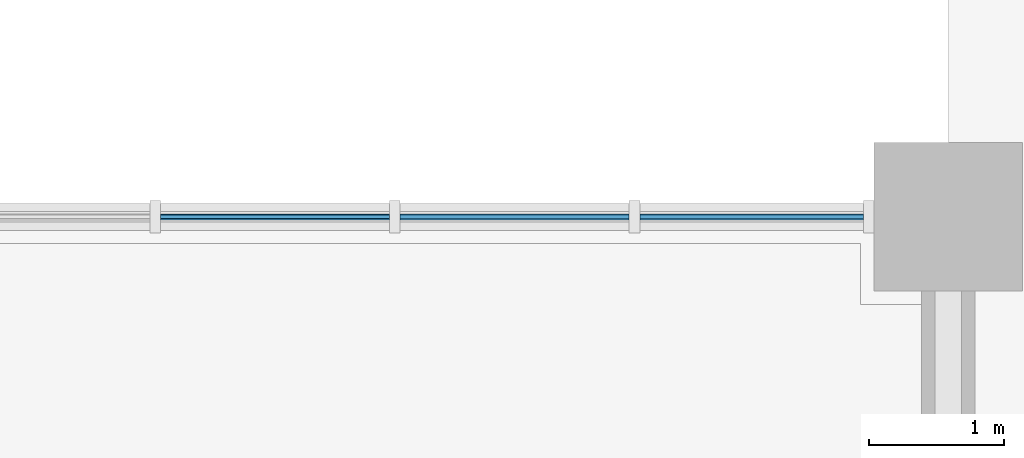
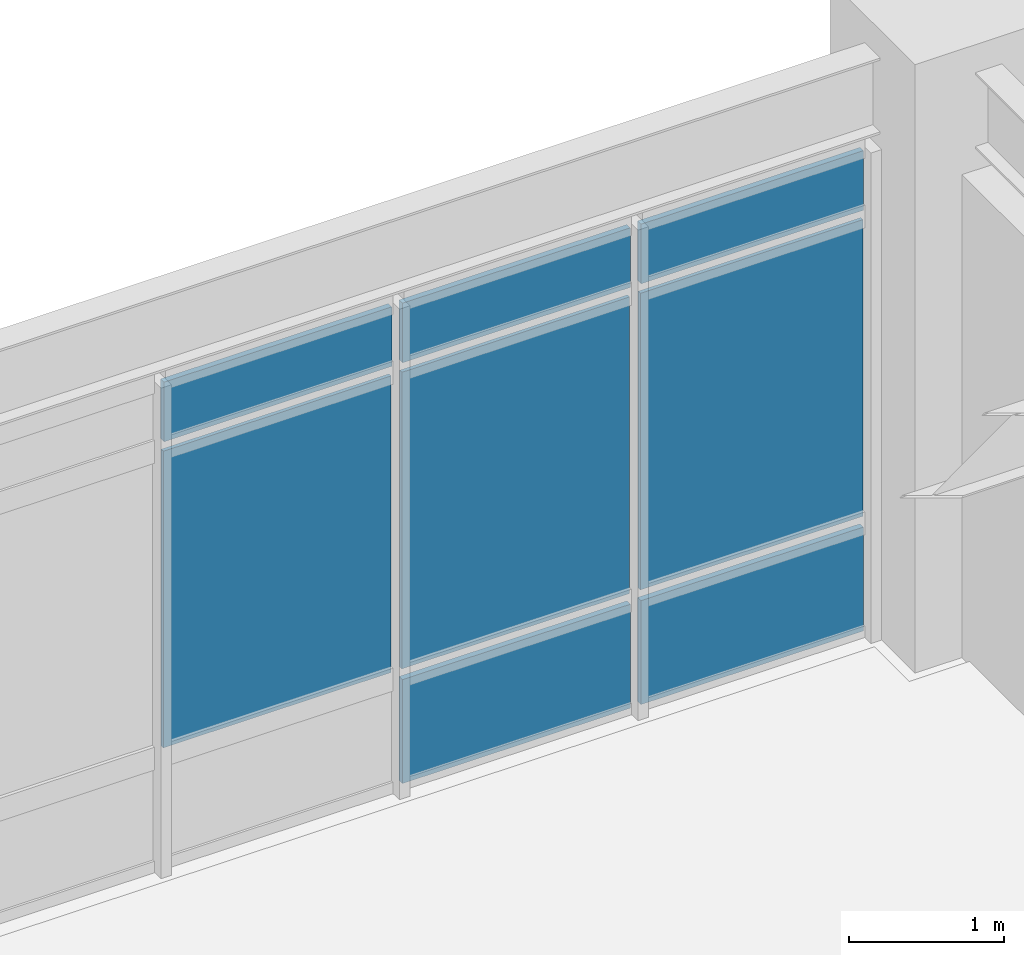
# One storey, part 72 of 125: 8 plates, 1 element without a shape of its own.
"""IFC4 building model written with IfcOpenShell, lengths in metres."""

from ifc_helpers import new_model, si_unit, direction, frame, origin, origin_2d, place, context, subcontext, project, spatial, rectangle, extrude, material, layer, layer_set, type_object, element, aggregate, save


model = new_model("IFC4")

# Units and contexts
model_context = context("Model", 3, precision=1e-05, world=origin(), true_north=direction((0.0, 1.0)))
body_context = subcontext(model_context, "Body", "Model", "MODEL_VIEW")
ifc_project = project(units=[si_unit("LENGTHUNIT", "METRE"), si_unit("AREAUNIT", "SQUARE_METRE"), si_unit("VOLUMEUNIT", "CUBIC_METRE"), si_unit("PLANEANGLEUNIT", "RADIAN"), si_unit("MASSUNIT", "GRAM", prefix="KILO")], contexts=[model_context])

# Site, building, storey
site_placement = place(None, origin())
site = spatial("IfcSite", under=ifc_project, at=site_placement, CompositionType="ELEMENT")
building_placement = place(site_placement, origin())
building = spatial("IfcBuilding", under=site, at=building_placement, Name="Haebicheon Civic Stadium", CompositionType="ELEMENT")
storey_placement = place(building_placement, origin())
storey = spatial("IfcBuildingStorey", under=building, at=storey_placement, Name="L01", CompositionType="ELEMENT", Elevation=0.0)

# Curtain wall, plates
ifc_material_1 = material(Name="Anodised aluminium and laminated glass", Category="aluminium")
ifc_layer_1 = layer(ifc_material_1, 0.179931640625, Name="Anodised aluminium and laminated glass")
ifc_layer_set_1 = layer_set([ifc_layer_1], Name="Anodised aluminium and laminated glass")
curtain_wall_type = type_object("IfcCurtainWallType", Name="CW-8900x3870", PredefinedType="NOTDEFINED", material=ifc_layer_set_1)
curtain_wall_placement = place(storey_placement, origin())
curtain_wall = element("IfcCurtainWall", 1, at=curtain_wall_placement, inside=storey, type_object=curtain_wall_type, material=ifc_layer_set_1, Name="L01 unitised curtain wall 029", PredefinedType="NOTDEFINED")
ifc_material_2 = material(Name="Double low-e laminated glass", Category="glass")
ifc_layer_2 = layer(ifc_material_2, 0.028076171875, Name="Double low-e laminated glass")
ifc_layer_set_2 = layer_set([ifc_layer_2], Name="Double low-e laminated glass")
plate_type_1 = type_object("IfcPlateType", Name="CWP-GLZ-28", PredefinedType="CURTAIN_PANEL", material=ifc_layer_set_2)
plate_1_placement = place(storey_placement, frame((231.0, 160.0, 0.93994140625), z_axis=(0.0, 0.0, 1.0), x_axis=(1.0, 0.0, 0.0)))
plate_1 = element("IfcPlate", 2, at=plate_1_placement, type_object=plate_type_1, material=ifc_layer_set_2, Name="CW-L01-029 vision panel 3.2", PredefinedType="CURTAIN_PANEL", context=body_context, shape_type="SweptSolid", body=[
    extrude(rectangle(XDim=1.699951171875, YDim=0.028076171875, at=origin_2d()), origin(), (0.0, 0.0, 1.0), 2.340087890625),
])
plate_2_placement = place(storey_placement, frame((232.780029296875, 160.0, 0.93994140625), z_axis=(0.0, 0.0, 1.0), x_axis=(1.0, 0.0, 0.0)))
plate_2 = element("IfcPlate", 3, at=plate_2_placement, type_object=plate_type_1, material=ifc_layer_set_2, Name="CW-L01-029 vision panel 4.2", PredefinedType="CURTAIN_PANEL", context=body_context, shape_type="SweptSolid", body=[
    extrude(rectangle(XDim=1.699951171875, YDim=0.028076171875, at=origin_2d()), origin(), (0.0, 0.0, 1.0), 2.340087890625),
])
plate_3_placement = place(storey_placement, frame((234.5400390625, 160.0, 0.93994140625), z_axis=(0.0, 0.0, 1.0), x_axis=(1.0, 0.0, 0.0)))
plate_3 = element("IfcPlate", 4, at=plate_3_placement, type_object=plate_type_1, material=ifc_layer_set_2, Name="CW-L01-029 vision panel 5.2", PredefinedType="CURTAIN_PANEL", context=body_context, shape_type="SweptSolid", body=[
    extrude(rectangle(XDim=1.659912109375, YDim=0.028076171875, at=origin_2d()), origin(), (0.0, 0.0, 1.0), 2.340087890625),
])
ifc_material_3 = material(Name="Anodised aluminium 6063-T6", Category="aluminium")
ifc_layer_3 = layer(ifc_material_3, 0.0439453125, Name="Anodised aluminium 6063-T6")
ifc_layer_set_3 = layer_set([ifc_layer_3], Name="Anodised aluminium 6063-T6")
plate_type_2 = type_object("IfcPlateType", Name="CWP-SPD-44", PredefinedType="CURTAIN_PANEL", material=ifc_layer_set_3)
plate_4_placement = place(storey_placement, frame((231.0, 160.0, 3.35986328125), z_axis=(0.0, 0.0, 1.0), x_axis=(1.0, 0.0, 0.0)))
plate_4 = element("IfcPlate", 5, at=plate_4_placement, type_object=plate_type_2, material=ifc_layer_set_3, Name="CW-L01-029 spandrel panel 3.3", PredefinedType="CURTAIN_PANEL", context=body_context, shape_type="SweptSolid", body=[
    extrude(rectangle(XDim=1.699951171875, YDim=0.0439453125, at=origin_2d()), origin(), (0.0, 0.0, 1.0), 0.469970703125),
])
plate_5_placement = place(storey_placement, frame((232.780029296875, 160.0, 0.0400390625), z_axis=(0.0, 0.0, 1.0), x_axis=(1.0, 0.0, 0.0)))
plate_5 = element("IfcPlate", 6, at=plate_5_placement, type_object=plate_type_2, material=ifc_layer_set_3, Name="CW-L01-029 spandrel panel 4.1", PredefinedType="CURTAIN_PANEL", context=body_context, shape_type="SweptSolid", body=[
    extrude(rectangle(XDim=1.699951171875, YDim=0.0439453125, at=origin_2d()), origin(), (0.0, 0.0, 1.0), 0.820068359375),
])
plate_6_placement = place(storey_placement, frame((232.780029296875, 160.0, 3.35986328125), z_axis=(0.0, 0.0, 1.0), x_axis=(1.0, 0.0, 0.0)))
plate_6 = element("IfcPlate", 7, at=plate_6_placement, type_object=plate_type_2, material=ifc_layer_set_3, Name="CW-L01-029 spandrel panel 4.3", PredefinedType="CURTAIN_PANEL", context=body_context, shape_type="SweptSolid", body=[
    extrude(rectangle(XDim=1.699951171875, YDim=0.0439453125, at=origin_2d()), origin(), (0.0, 0.0, 1.0), 0.469970703125),
])
plate_7_placement = place(storey_placement, frame((234.5400390625, 160.0, 0.0400390625), z_axis=(0.0, 0.0, 1.0), x_axis=(1.0, 0.0, 0.0)))
plate_7 = element("IfcPlate", 8, at=plate_7_placement, type_object=plate_type_2, material=ifc_layer_set_3, Name="CW-L01-029 spandrel panel 5.1", PredefinedType="CURTAIN_PANEL", context=body_context, shape_type="SweptSolid", body=[
    extrude(rectangle(XDim=1.659912109375, YDim=0.0439453125, at=origin_2d()), origin(), (0.0, 0.0, 1.0), 0.820068359375),
])
plate_8_placement = place(storey_placement, frame((234.5400390625, 160.0, 3.35986328125), z_axis=(0.0, 0.0, 1.0), x_axis=(1.0, 0.0, 0.0)))
plate_8 = element("IfcPlate", 9, at=plate_8_placement, type_object=plate_type_2, material=ifc_layer_set_3, Name="CW-L01-029 spandrel panel 5.3", PredefinedType="CURTAIN_PANEL", context=body_context, shape_type="SweptSolid", body=[
    extrude(rectangle(XDim=1.659912109375, YDim=0.0439453125, at=origin_2d()), origin(), (0.0, 0.0, 1.0), 0.469970703125),
])
aggregate(curtain_wall, [plate_1, plate_4, plate_5, plate_2, plate_6, plate_7, plate_3, plate_8])

save(model, "model.ifc")
